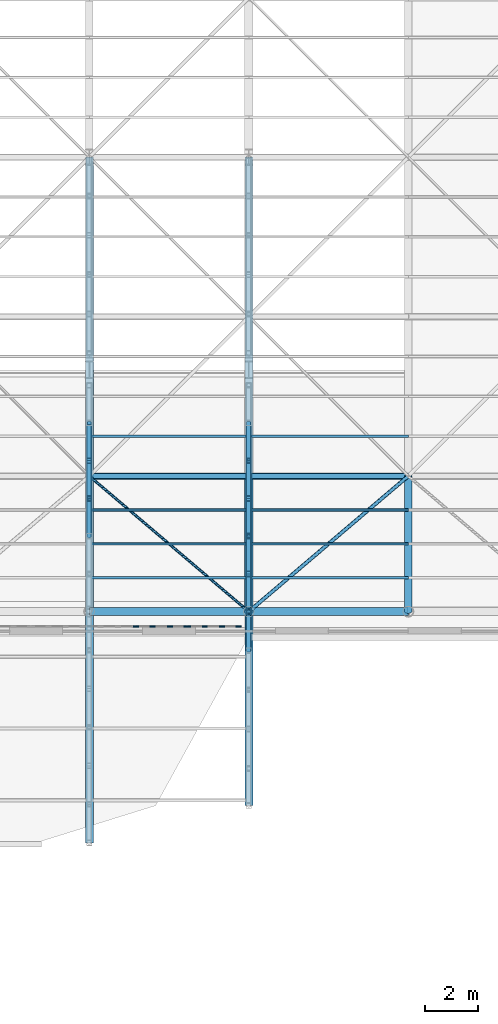
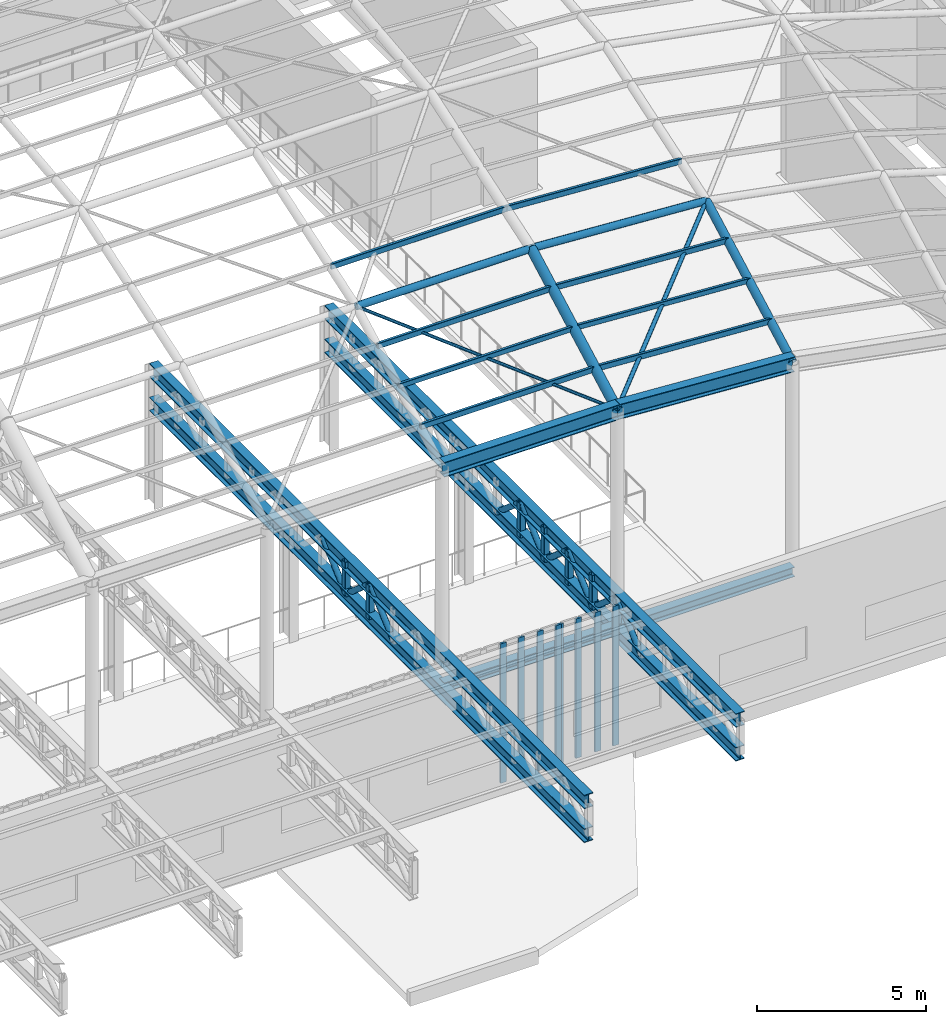
# One storey, part 27 of 75: 42 members, 4 beams, 2 elements without a shape of their own.
"""IFC4 building model written with IfcOpenShell, lengths in metres."""

from ifc_helpers import new_model, si_unit, direction, frame, origin, origin_2d, place, context, subcontext, project, spatial, rectangle, hollow_rectangle, hollow_circle, i_section, extrude, material, material_profile, profile_set, type_object, element, aggregate, save


model = new_model("IFC4")

# Units and contexts
model_context = context("Model", 3, precision=1e-05, world=origin(), true_north=direction((0.0, 1.0)))
body_context = subcontext(model_context, "Body", "Model", "MODEL_VIEW")
ifc_project = project(units=[si_unit("LENGTHUNIT", "METRE"), si_unit("AREAUNIT", "SQUARE_METRE"), si_unit("VOLUMEUNIT", "CUBIC_METRE"), si_unit("PLANEANGLEUNIT", "RADIAN"), si_unit("MASSUNIT", "GRAM", prefix="KILO")], contexts=[model_context])

# Site, building, storey
site_placement = place(None, origin())
site = spatial("IfcSite", under=ifc_project, at=site_placement, CompositionType="ELEMENT")
building_placement = place(site_placement, origin())
building = spatial("IfcBuilding", under=site, at=building_placement, Name="Kolvaren Corner Interchange", CompositionType="ELEMENT")
storey_placement = place(building_placement, frame((0.0, 0.0, 10.5)))
storey = spatial("IfcBuildingStorey", under=building, at=storey_placement, Name="L03", CompositionType="ELEMENT", Elevation=10.5)

# Beams
ifc_material_1 = material(Name="Steel S355", Category="steel")
ifc_material_profile_1 = material_profile(ifc_material_1, i_section(OverallWidth=0.300048828125, OverallDepth=0.35009765625, WebThickness=0.010009765625, FlangeThickness=0.017578125, FilletRadius=0.027099609375, at=origin_2d()), Name="HEA 360")
ifc_profile_set_1 = profile_set([ifc_material_profile_1], Name="Steel S355")
beam_type_1 = type_object("IfcBeamType", Name="BM-HEA360", PredefinedType="BEAM", material=ifc_profile_set_1)
for number, where, z_axis, x_axis, name in (
    (1, (102.0, 24.89990234375, 3.77490234375), (1.0, 0.0, 0.0), (0.0, 1.0, 0.0), "Storey L03 Grid X Primary Girder 0838"),
    (2, (108.0, 24.89990234375, 3.77490234375), (1.0, 0.0, 0.0), (0.0, 1.0, 0.0), "Storey L03 Grid X Primary Girder 0839"),
):
    element("IfcBeam", number, at=place(storey_placement, frame(where, z_axis=z_axis, x_axis=x_axis)), inside=storey, type_object=beam_type_1, Name=name, PredefinedType="BEAM", context=body_context, shape_type="SweptSolid", body=[
        extrude(i_section(OverallWidth=0.300048828125, OverallDepth=0.35009765625, WebThickness=0.010009765625, FlangeThickness=0.017578125, FilletRadius=0.027099609375, at=origin_2d()), origin(), (0.0, 0.0, 1.0), 6.0),
    ])
ifc_material_2 = material(Name="Steel S355", Category="steel")
ifc_material_profile_2 = material_profile(ifc_material_2, i_section(OverallWidth=0.300048828125, OverallDepth=0.5400390625, WebThickness=0.012451171875, FlangeThickness=0.02392578125, FilletRadius=0.027099609375, at=origin_2d()), Name="HEA 550")
ifc_profile_set_2 = profile_set([ifc_material_profile_2], Name="Steel S355")
beam_type_2 = type_object("IfcBeamType", Name="BM-HEA550", PredefinedType="BEAM", material=ifc_profile_set_2)
beam_1_placement = place(storey_placement, frame((102.0, 24.89990234375, 11.6650390625), z_axis=(1.0, 0.0, 0.0), x_axis=(0.0, 1.0, 0.0)))
element("IfcBeam", 3, at=beam_1_placement, inside=storey, type_object=beam_type_2, Name="Concourse Translational Gridshell Eaves Ring Beam 010", PredefinedType="BEAM", context=body_context, shape_type="SweptSolid", body=[
    extrude(i_section(OverallWidth=0.300048828125, OverallDepth=0.5400390625, WebThickness=0.012451171875, FlangeThickness=0.02392578125, FilletRadius=0.027099609375, at=origin_2d()), origin(), (0.0, 0.0, 1.0), 6.0),
])
beam_2_placement = place(storey_placement, frame((108.0, 24.89990234375, 11.6650390625), z_axis=(0.998052578483, 0.0, -0.062378286155), x_axis=(0.0, 1.0, 0.0)))
element("IfcBeam", 4, at=beam_2_placement, inside=storey, type_object=beam_type_2, Name="Concourse Translational Gridshell Eaves Ring Beam 011", PredefinedType="BEAM", context=body_context, shape_type="SweptSolid", body=[
    extrude(i_section(OverallWidth=0.300048828125, OverallDepth=0.5400390625, WebThickness=0.012451171875, FlangeThickness=0.02392578125, FilletRadius=0.027099609375, at=origin_2d()), origin(), (0.0, 0.0, 1.0), 6.01171875),
])

# Members
ifc_material_3 = material(Name="Steel S355", Category="steel")
ifc_material_profile_3 = material_profile(ifc_material_3, hollow_circle(Radius=0.05078125, WallThickness=0.00634765625, at=origin_2d()), Name="CHS 101.6x6.3")
ifc_profile_set_3 = profile_set([ifc_material_profile_3], Name="Steel S355")
member_type_1 = type_object("IfcMemberType", Name="MEM-BR-CHS102", PredefinedType="BRACE", material=ifc_profile_set_3)
member_1_placement = place(storey_placement, frame((102.0, 30.0, 14.4130859375), z_axis=(0.719387446525, -0.611491038326, -0.329485070723), x_axis=(0.647655619635, 0.761933198092, 0.0)))
element("IfcMember", 5, at=member_1_placement, inside=storey, type_object=member_type_1, Name="Concourse Translational Gridshell Nodal Diagonal Brace 0073", PredefinedType="BRACE", context=body_context, shape_type="SweptSolid", body=[
    extrude(hollow_circle(Radius=0.05078125, WallThickness=0.00634765625, at=origin_2d()), origin(), (0.0, 0.0, 1.0), 8.34033203125),
])
ifc_material_4 = material(Name="Steel S355", Category="steel")
ifc_material_profile_4 = material_profile(ifc_material_4, hollow_circle(Radius=0.06982421875, WallThickness=0.008056640625, at=origin_2d()), Name="CHS 139.7x8.0")
ifc_profile_set_4 = profile_set([ifc_material_profile_4], Name="Steel S355")
member_type_2 = type_object("IfcMemberType", Name="MEM-BR-CHS140", PredefinedType="BRACE", material=ifc_profile_set_4)
member_2_placement = place(storey_placement, frame((108.0, 24.89990234375, 11.6650390625), z_axis=(0.729527914915, 0.620110601504, 0.288533989786), x_axis=(-0.647655619635, 0.761933198092, 0.0)))
element("IfcMember", 6, at=member_2_placement, inside=storey, type_object=member_type_2, Name="Concourse Translational Gridshell Nodal Diagonal Brace 0081", PredefinedType="BRACE", context=body_context, shape_type="SweptSolid", body=[
    extrude(hollow_circle(Radius=0.06982421875, WallThickness=0.008056640625, at=origin_2d()), origin(), (0.0, 0.0, 1.0), 8.224609375),
])
ifc_material_5 = material(Name="Steel S355", Category="steel")
ifc_material_profile_5 = material_profile(ifc_material_5, hollow_circle(Radius=0.096923828125, WallThickness=0.010009765625, at=origin_2d()), Name="CHS 193.7x10.0")
ifc_profile_set_5 = profile_set([ifc_material_profile_5], Name="Steel S355")
member_type_3 = type_object("IfcMemberType", Name="MEM-BR-CHS194", PredefinedType="BRACE", material=ifc_profile_set_5)
member_3_placement = place(storey_placement, frame((102.0, 27.739990234375, 3.64990234375), z_axis=(0.0, 0.758427540561, 0.651757367215), x_axis=(-1.0, 0.0, 0.0)))
element("IfcMember", 7, at=member_3_placement, inside=storey, type_object=member_type_3, Name="South Portal Cantilever Roof Truss TOP Line 6 Diagonal 09", PredefinedType="BRACE", context=body_context, shape_type="SweptSolid", body=[
    extrude(hollow_circle(Radius=0.096923828125, WallThickness=0.010009765625, at=origin_2d()), origin(), (0.0, 0.0, 1.0), 1.8720703125),
])
member_4_placement = place(storey_placement, frame((102.0, 29.159912109375, 4.8701171875), z_axis=(0.0, 0.758482926199, -0.651692911319), x_axis=(-1.0, 0.0, 0.0)))
element("IfcMember", 8, at=member_4_placement, inside=storey, type_object=member_type_3, Name="South Portal Cantilever Roof Truss TOP Line 6 Diagonal 10", PredefinedType="BRACE", context=body_context, shape_type="SweptSolid", body=[
    extrude(hollow_circle(Radius=0.096923828125, WallThickness=0.010009765625, at=origin_2d()), origin(), (0.0, 0.0, 1.0), 1.872314453125),
])
member_5_placement = place(storey_placement, frame((102.0, 30.580078125, 3.64990234375), z_axis=(0.0, 0.758427540561, 0.651757367215), x_axis=(-1.0, 0.0, 0.0)))
element("IfcMember", 9, at=member_5_placement, inside=storey, type_object=member_type_3, Name="South Portal Cantilever Roof Truss TOP Line 6 Diagonal 11", PredefinedType="BRACE", context=body_context, shape_type="SweptSolid", body=[
    extrude(hollow_circle(Radius=0.096923828125, WallThickness=0.010009765625, at=origin_2d()), origin(), (0.0, 0.0, 1.0), 1.8720703125),
])
member_6_placement = place(storey_placement, frame((108.0, 23.43994140625, 3.64990234375), z_axis=(0.0, 0.76729496063, 0.641294350039), x_axis=(-1.0, 0.0, 0.0)))
element("IfcMember", 10, at=member_6_placement, inside=storey, type_object=member_type_3, Name="South Portal Cantilever Roof Truss TOP Line 7 Diagonal 05", PredefinedType="BRACE", context=body_context, shape_type="SweptSolid", body=[
    extrude(hollow_circle(Radius=0.096923828125, WallThickness=0.010009765625, at=origin_2d()), origin(), (0.0, 0.0, 1.0), 1.90283203125),
])
member_7_placement = place(storey_placement, frame((108.0, 24.89990234375, 4.8701171875), z_axis=(0.0, 0.758482926199, -0.651692911319), x_axis=(-1.0, 0.0, 0.0)))
element("IfcMember", 11, at=member_7_placement, inside=storey, type_object=member_type_3, Name="South Portal Cantilever Roof Truss TOP Line 7 Diagonal 06", PredefinedType="BRACE", context=body_context, shape_type="SweptSolid", body=[
    extrude(hollow_circle(Radius=0.096923828125, WallThickness=0.010009765625, at=origin_2d()), origin(), (0.0, 0.0, 1.0), 1.872314453125),
])
for number, where, z_axis, x_axis, name in (
    (12, (108.0, 26.320068359375, 3.64990234375), (0.0, 0.758427540561, 0.651757367215), (-1.0, 0.0, 0.0), "South Portal Cantilever Roof Truss TOP Line 7 Diagonal 07"),
    (13, (108.0, 27.739990234375, 4.8701171875), (0.0, 0.758427540561, -0.651757367215), (-1.0, 0.0, 0.0), "South Portal Cantilever Roof Truss TOP Line 7 Diagonal 08"),
):
    element("IfcMember", number, at=place(storey_placement, frame(where, z_axis=z_axis, x_axis=x_axis)), inside=storey, type_object=member_type_3, Name=name, PredefinedType="BRACE", context=body_context, shape_type="SweptSolid", body=[
        extrude(hollow_circle(Radius=0.096923828125, WallThickness=0.010009765625, at=origin_2d()), origin(), (0.0, 0.0, 1.0), 1.8720703125),
    ])
member_8_placement = place(storey_placement, frame((108.0, 29.159912109375, 3.64990234375), z_axis=(0.0, 0.758482926199, 0.651692911319), x_axis=(-1.0, 0.0, 0.0)))
element("IfcMember", 14, at=member_8_placement, inside=storey, type_object=member_type_3, Name="South Portal Cantilever Roof Truss TOP Line 7 Diagonal 09", PredefinedType="BRACE", context=body_context, shape_type="SweptSolid", body=[
    extrude(hollow_circle(Radius=0.096923828125, WallThickness=0.010009765625, at=origin_2d()), origin(), (0.0, 0.0, 1.0), 1.872314453125),
])
member_9_placement = place(storey_placement, frame((108.0, 30.580078125, 4.8701171875), z_axis=(0.0, 0.758427540561, -0.651757367215), x_axis=(-1.0, 0.0, 0.0)))
element("IfcMember", 15, at=member_9_placement, inside=storey, type_object=member_type_3, Name="South Portal Cantilever Roof Truss TOP Line 7 Diagonal 10", PredefinedType="BRACE", context=body_context, shape_type="SweptSolid", body=[
    extrude(hollow_circle(Radius=0.096923828125, WallThickness=0.010009765625, at=origin_2d()), origin(), (0.0, 0.0, 1.0), 1.8720703125),
])
ifc_material_6 = material(Name="Steel S355", Category="steel")
ifc_material_profile_6 = material_profile(ifc_material_6, hollow_circle(Radius=0.122314453125, WallThickness=0.012451171875, at=origin_2d()), Name="CHS 244.5x12.5")
ifc_profile_set_6 = profile_set([ifc_material_profile_6], Name="Steel S355")
member_type_4 = type_object("IfcMemberType", Name="MEM-CH-CHS245", PredefinedType="CHORD", material=ifc_profile_set_6)
member_10_placement = place(storey_placement, frame((102.0, 30.0, 14.4130859375), z_axis=(1.0, 0.0, 0.0), x_axis=(0.0, 1.0, 0.0)))
element("IfcMember", 16, at=member_10_placement, inside=storey, type_object=member_type_4, Name="Concourse Translational Gridshell Longitudinal Arch Chord 0114", PredefinedType="CHORD", context=body_context, shape_type="SweptSolid", body=[
    extrude(hollow_circle(Radius=0.122314453125, WallThickness=0.012451171875, at=origin_2d()), origin(), (0.0, 0.0, 1.0), 6.0),
])
member_11_placement = place(storey_placement, frame((108.0, 30.0, 14.4130859375), z_axis=(0.998052578483, 0.0, -0.062378286155), x_axis=(0.0, 1.0, 0.0)))
element("IfcMember", 17, at=member_11_placement, inside=storey, type_object=member_type_4, Name="Concourse Translational Gridshell Longitudinal Arch Chord 0115", PredefinedType="CHORD", context=body_context, shape_type="SweptSolid", body=[
    extrude(hollow_circle(Radius=0.122314453125, WallThickness=0.012451171875, at=origin_2d()), origin(), (0.0, 0.0, 1.0), 6.01171875),
])
ifc_material_7 = material(Name="Steel S355", Category="steel")
ifc_material_profile_7 = material_profile(ifc_material_7, hollow_circle(Radius=0.136474609375, WallThickness=0.012451171875, at=origin_2d()), Name="CHS 273.0x12.5")
ifc_profile_set_7 = profile_set([ifc_material_profile_7], Name="Steel S355")
member_type_5 = type_object("IfcMemberType", Name="MEM-CH-CHS273", PredefinedType="CHORD", material=ifc_profile_set_7)
member_12_placement = place(storey_placement, frame((114.0, 24.89990234375, 11.2900390625), z_axis=(0.0, 0.880338454691, 0.474346081666), x_axis=(-1.0, 0.0, 0.0)))
element("IfcMember", 18, at=member_12_placement, inside=storey, type_object=member_type_5, Name="Concourse Translational Gridshell Transverse Arch Chord 0081", PredefinedType="CHORD", context=body_context, shape_type="SweptSolid", body=[
    extrude(hollow_circle(Radius=0.136474609375, WallThickness=0.012451171875, at=origin_2d()), origin(), (0.0, 0.0, 1.0), 5.79345703125),
])
ifc_material_8 = material(Name="Steel S355", Category="steel")
ifc_material_profile_8 = material_profile(ifc_material_8, hollow_circle(Radius=0.161865234375, WallThickness=0.012451171875, at=origin_2d()), Name="CHS 323.9x12.5")
ifc_profile_set_8 = profile_set([ifc_material_profile_8], Name="Steel S355")
member_type_6 = type_object("IfcMemberType", Name="MEM-CH-CHS324", PredefinedType="CHORD", material=ifc_profile_set_8)
member_13_placement = place(storey_placement, frame((108.0, 24.89990234375, 11.6650390625), z_axis=(0.0, 0.880338454691, 0.474346081666), x_axis=(-1.0, 0.0, 0.0)))
element("IfcMember", 19, at=member_13_placement, inside=storey, type_object=member_type_6, Name="Concourse Translational Gridshell Transverse Arch Chord 0073", PredefinedType="CHORD", context=body_context, shape_type="SweptSolid", body=[
    extrude(hollow_circle(Radius=0.161865234375, WallThickness=0.012451171875, at=origin_2d()), origin(), (0.0, 0.0, 1.0), 5.79345703125),
])
ifc_material_9 = material(Name="Steel S355", Category="steel")
ifc_material_profile_9 = material_profile(ifc_material_9, i_section(OverallWidth=0.300048828125, OverallDepth=0.5, WebThickness=0.014404296875, FlangeThickness=0.028076171875, FilletRadius=0.027099609375, at=origin_2d()), Name="HEB 500")
ifc_profile_set_9 = profile_set([ifc_material_profile_9], Name="Steel S355")
member_type_7 = type_object("IfcMemberType", Name="MEM-CH-HEB500", PredefinedType="CHORD", material=ifc_profile_set_9)
for number, where, z_axis, x_axis, name in (
    (20, (102.0, 16.199951171875, 4.8701171875), (0.0, 1.0, 0.0), (-1.0, 0.0, 0.0), "South Portal Cantilever Roof Truss TOP Line 6 Top Chord"),
    (21, (102.0, 16.199951171875, 3.64990234375), (0.0, 1.0, 0.0), (-1.0, 0.0, 0.0), "South Portal Cantilever Roof Truss TOP Line 6 Bottom Chord"),
):
    element("IfcMember", number, at=place(storey_placement, frame(where, z_axis=z_axis, x_axis=x_axis)), inside=storey, type_object=member_type_7, Name=name, PredefinedType="CHORD", context=body_context, shape_type="SweptSolid", body=[
        extrude(i_section(OverallWidth=0.300048828125, OverallDepth=0.5, WebThickness=0.014404296875, FlangeThickness=0.028076171875, FilletRadius=0.027099609375, at=origin_2d()), origin(), (0.0, 0.0, 1.0), 25.800048828125),
    ])
for number, where, z_axis, x_axis, name in (
    (22, (108.0, 17.60009765625, 4.8701171875), (0.0, 1.0, 0.0), (-1.0, 0.0, 0.0), "South Portal Cantilever Roof Truss TOP Line 7 Top Chord"),
    (23, (108.0, 17.60009765625, 3.64990234375), (0.0, 1.0, 0.0), (-1.0, 0.0, 0.0), "South Portal Cantilever Roof Truss TOP Line 7 Bottom Chord"),
):
    element("IfcMember", number, at=place(storey_placement, frame(where, z_axis=z_axis, x_axis=x_axis)), inside=storey, type_object=member_type_7, Name=name, PredefinedType="CHORD", context=body_context, shape_type="SweptSolid", body=[
        extrude(i_section(OverallWidth=0.300048828125, OverallDepth=0.5, WebThickness=0.014404296875, FlangeThickness=0.028076171875, FilletRadius=0.027099609375, at=origin_2d()), origin(), (0.0, 0.0, 1.0), 24.39990234375),
    ])
ifc_material_10 = material(Name="Steel S355", Category="steel")
ifc_material_profile_10 = material_profile(ifc_material_10, hollow_rectangle(XDim=0.10009765625, YDim=0.179931640625, WallThickness=0.008056640625, InnerFilletRadius=0.008056640625, OuterFilletRadius=0.01611328125, at=origin_2d()), Name="RHS 180x100x8.0")
ifc_profile_set_10 = profile_set([ifc_material_profile_10], Name="Steel S355")
member_type_8 = type_object("IfcMemberType", Name="MEM-PR-RHS180", PredefinedType="PURLIN", material=ifc_profile_set_10)
member_14_placement = place(storey_placement, frame((102.0, 27.449951171875, 13.0869140625), z_axis=(1.0, 0.0, 0.0), x_axis=(0.0, 1.0, 0.0)))
element("IfcMember", 24, at=member_14_placement, inside=storey, type_object=member_type_8, Name="Concourse Translational Gridshell Glazing Purlin 0073 Row 2", PredefinedType="PURLIN", context=body_context, shape_type="SweptSolid", body=[
    extrude(hollow_rectangle(XDim=0.10009765625, YDim=0.179931640625, WallThickness=0.008056640625, InnerFilletRadius=0.008056640625, OuterFilletRadius=0.01611328125, at=origin_2d()), origin(), (0.0, 0.0, 1.0), 6.0),
])
member_15_placement = place(storey_placement, frame((108.0, 27.449951171875, 13.0869140625), z_axis=(0.998052578483, 0.0, -0.062378286155), x_axis=(0.0, 1.0, 0.0)))
element("IfcMember", 25, at=member_15_placement, inside=storey, type_object=member_type_8, Name="Concourse Translational Gridshell Glazing Purlin 0081 Row 2", PredefinedType="PURLIN", context=body_context, shape_type="SweptSolid", body=[
    extrude(hollow_rectangle(XDim=0.10009765625, YDim=0.179931640625, WallThickness=0.008056640625, InnerFilletRadius=0.008056640625, OuterFilletRadius=0.01611328125, at=origin_2d()), origin(), (0.0, 0.0, 1.0), 6.01171875),
])
ifc_material_11 = material(Name="Steel S355", Category="steel")
ifc_material_profile_11 = material_profile(ifc_material_11, hollow_rectangle(XDim=0.10009765625, YDim=0.199951171875, WallThickness=0.008056640625, InnerFilletRadius=0.008056640625, OuterFilletRadius=0.01611328125, at=origin_2d()), Name="RHS 200x100x8.0")
ifc_profile_set_11 = profile_set([ifc_material_profile_11], Name="Steel S355")
member_type_9 = type_object("IfcMemberType", Name="MEM-PR-RHS200", PredefinedType="PURLIN", material=ifc_profile_set_11)
for number, where, z_axis, x_axis, name in (
    (26, (102.0, 26.175048828125, 12.389892578125), (1.0, 0.0, 0.0), (0.0, 1.0, 0.0), "Concourse Translational Gridshell Glazing Purlin 0073 Row 1"),
    (27, (102.0, 28.72509765625, 13.763916015625), (1.0, 0.0, 0.0), (0.0, 1.0, 0.0), "Concourse Translational Gridshell Glazing Purlin 0073 Row 3"),
    (28, (102.0, 31.5, 14.950927734375), (1.0, 0.0, 0.0), (0.0, 1.0, 0.0), "Concourse Translational Gridshell Glazing Purlin 0074 Row 1"),
):
    element("IfcMember", number, at=place(storey_placement, frame(where, z_axis=z_axis, x_axis=x_axis)), inside=storey, type_object=member_type_9, Name=name, PredefinedType="PURLIN", context=body_context, shape_type="SweptSolid", body=[
        extrude(hollow_rectangle(XDim=0.10009765625, YDim=0.199951171875, WallThickness=0.008056640625, InnerFilletRadius=0.008056640625, OuterFilletRadius=0.01611328125, at=origin_2d()), origin(), (0.0, 0.0, 1.0), 6.0),
    ])
for number, where, z_axis, x_axis, name in (
    (29, (108.0, 26.175048828125, 12.389892578125), (0.998052578483, 0.0, -0.062378286155), (0.0, 1.0, 0.0), "Concourse Translational Gridshell Glazing Purlin 0081 Row 1"),
    (30, (108.0, 28.72509765625, 13.763916015625), (0.998052578483, 0.0, -0.062378286155), (0.0, 1.0, 0.0), "Concourse Translational Gridshell Glazing Purlin 0081 Row 3"),
    (31, (108.0, 31.5, 14.950927734375), (0.998052578483, 0.0, -0.062378286155), (0.0, 1.0, 0.0), "Concourse Translational Gridshell Glazing Purlin 0082 Row 1"),
):
    element("IfcMember", number, at=place(storey_placement, frame(where, z_axis=z_axis, x_axis=x_axis)), inside=storey, type_object=member_type_9, Name=name, PredefinedType="PURLIN", context=body_context, shape_type="SweptSolid", body=[
        extrude(hollow_rectangle(XDim=0.10009765625, YDim=0.199951171875, WallThickness=0.008056640625, InnerFilletRadius=0.008056640625, OuterFilletRadius=0.01611328125, at=origin_2d()), origin(), (0.0, 0.0, 1.0), 6.01171875),
    ])
ifc_material_12 = material(Name="Steel S355", Category="steel")
ifc_material_profile_12 = material_profile(ifc_material_12, hollow_rectangle(XDim=0.199951171875, YDim=0.199951171875, WallThickness=0.010009765625, InnerFilletRadius=0.010009765625, OuterFilletRadius=0.02001953125, at=origin_2d()), Name="SHS 200x200x10.0")
ifc_profile_set_12 = profile_set([ifc_material_profile_12], Name="Steel S355")
member_type_10 = type_object("IfcMemberType", Name="MEM-PT-SHS200", PredefinedType="POST", material=ifc_profile_set_12)
for number, where, z_axis, x_axis, name in (
    (32, (102.0, 29.159912109375, 3.64990234375), (0.0, 0.0, 1.0), (1.0, 0.0, 0.0), "South Portal Cantilever Roof Truss TOP Line 6 Web Post 10"),
    (33, (102.0, 30.580078125, 3.64990234375), (0.0, 0.0, 1.0), (1.0, 0.0, 0.0), "South Portal Cantilever Roof Truss TOP Line 6 Web Post 11"),
    (34, (108.0, 24.89990234375, 3.64990234375), (0.0, 0.0, 1.0), (1.0, 0.0, 0.0), "South Portal Cantilever Roof Truss TOP Line 7 Web Post 06"),
    (35, (108.0, 26.320068359375, 3.64990234375), (0.0, 0.0, 1.0), (1.0, 0.0, 0.0), "South Portal Cantilever Roof Truss TOP Line 7 Web Post 07"),
    (36, (108.0, 27.739990234375, 3.64990234375), (0.0, 0.0, 1.0), (1.0, 0.0, 0.0), "South Portal Cantilever Roof Truss TOP Line 7 Web Post 08"),
    (37, (108.0, 29.159912109375, 3.64990234375), (0.0, 0.0, 1.0), (1.0, 0.0, 0.0), "South Portal Cantilever Roof Truss TOP Line 7 Web Post 09"),
    (38, (108.0, 30.580078125, 3.64990234375), (0.0, 0.0, 1.0), (1.0, 0.0, 0.0), "South Portal Cantilever Roof Truss TOP Line 7 Web Post 10"),
):
    element("IfcMember", number, at=place(storey_placement, frame(where, z_axis=z_axis, x_axis=x_axis)), inside=storey, type_object=member_type_10, Name=name, PredefinedType="POST", context=body_context, shape_type="SweptSolid", body=[
        extrude(hollow_rectangle(XDim=0.199951171875, YDim=0.199951171875, WallThickness=0.010009765625, InnerFilletRadius=0.010009765625, OuterFilletRadius=0.02001953125, at=origin_2d()), origin(), (0.0, 0.0, 1.0), 1.22021484375),
    ])

# Curtain wall, members
ifc_material_13 = material(Name="Unitised Aluminium and Solar-Control Glass Curtain Wall", Category="aluminium")
curtain_wall_type = type_object("IfcCurtainWallType", Name="CW-V1-UPPER", PredefinedType="NOTDEFINED", material=ifc_material_13)
curtain_wall_1_placement = place(storey_placement, origin())
curtain_wall_1 = element("IfcCurtainWall", 39, at=curtain_wall_1_placement, inside=storey, type_object=curtain_wall_type, Name="South Portal Upper Curtain Wall Bay 17", PredefinedType="NOTDEFINED")
ifc_material_14 = material(Name="Anodised Aluminium Framing", Category="aluminium")
ifc_material_profile_13 = material_profile(ifc_material_14, rectangle(XDim=0.070068359375, YDim=0.199951171875, at=origin_2d()), Name="ALU 70x200")
ifc_profile_set_13 = profile_set([ifc_material_profile_13], Name="Anodised Aluminium Framing")
member_type_11 = type_object("IfcMemberType", Name="MUL-ALU70x200", PredefinedType="MULLION", material=ifc_profile_set_13)
member_16_placement = place(storey_placement, frame((103.7626953125, 24.340087890625, 0.0), z_axis=(0.0, 0.0, 1.0), x_axis=(0.0, 1.0, 0.0)))
member_16 = element("IfcMember", 40, at=member_16_placement, type_object=member_type_11, Name="CW-053 mullion 1", PredefinedType="MULLION", context=body_context, shape_type="SweptSolid", body=[
    extrude(rectangle(XDim=0.070068359375, YDim=0.199951171875, at=origin_2d()), origin(), (0.0, 0.0, 1.0), 5.050048828125),
])
member_17_placement = place(storey_placement, frame((104.381591796875, 24.340087890625, 0.0), z_axis=(0.0, 0.0, 1.0), x_axis=(0.0, 1.0, 0.0)))
member_17 = element("IfcMember", 41, at=member_17_placement, type_object=member_type_11, Name="CW-053 mullion 2", PredefinedType="MULLION", context=body_context, shape_type="SweptSolid", body=[
    extrude(rectangle(XDim=0.070068359375, YDim=0.199951171875, at=origin_2d()), origin(), (0.0, 0.0, 1.0), 5.050048828125),
])
member_18_placement = place(storey_placement, frame((105.03515625, 24.340087890625, 0.0), z_axis=(0.0, 0.0, 1.0), x_axis=(0.0, 1.0, 0.0)))
member_18 = element("IfcMember", 42, at=member_18_placement, type_object=member_type_11, Name="CW-053 mullion 3", PredefinedType="MULLION", context=body_context, shape_type="SweptSolid", body=[
    extrude(rectangle(XDim=0.070068359375, YDim=0.199951171875, at=origin_2d()), origin(), (0.0, 0.0, 1.0), 5.050048828125),
])
member_19_placement = place(storey_placement, frame((105.65380859375, 24.340087890625, 0.0), z_axis=(0.0, 0.0, 1.0), x_axis=(0.0, 1.0, 0.0)))
member_19 = element("IfcMember", 43, at=member_19_placement, type_object=member_type_11, Name="CW-053 mullion 4", PredefinedType="MULLION", context=body_context, shape_type="SweptSolid", body=[
    extrude(rectangle(XDim=0.070068359375, YDim=0.199951171875, at=origin_2d()), origin(), (0.0, 0.0, 1.0), 5.050048828125),
])
aggregate(curtain_wall_1, [member_16, member_17, member_18, member_19])

curtain_wall_2_placement = place(storey_placement, origin())
curtain_wall_2 = element("IfcCurtainWall", 44, at=curtain_wall_2_placement, inside=storey, type_object=curtain_wall_type, Name="South Portal Upper Curtain Wall Bay 18", PredefinedType="NOTDEFINED")
member_20_placement = place(storey_placement, frame((105.723876953125, 24.340087890625, 0.0), z_axis=(0.0, 0.0, 1.0), x_axis=(0.0, 1.0, 0.0)))
member_20 = element("IfcMember", 45, at=member_20_placement, type_object=member_type_11, Name="CW-054 mullion 1", PredefinedType="MULLION", context=body_context, shape_type="SweptSolid", body=[
    extrude(rectangle(XDim=0.070068359375, YDim=0.199951171875, at=origin_2d()), origin(), (0.0, 0.0, 1.0), 5.050048828125),
])
member_21_placement = place(storey_placement, frame((106.342529296875, 24.340087890625, 0.0), z_axis=(0.0, 0.0, 1.0), x_axis=(0.0, 1.0, 0.0)))
member_21 = element("IfcMember", 46, at=member_21_placement, type_object=member_type_11, Name="CW-054 mullion 2", PredefinedType="MULLION", context=body_context, shape_type="SweptSolid", body=[
    extrude(rectangle(XDim=0.070068359375, YDim=0.199951171875, at=origin_2d()), origin(), (0.0, 0.0, 1.0), 5.050048828125),
])
member_22_placement = place(storey_placement, frame((106.996337890625, 24.340087890625, 0.0), z_axis=(0.0, 0.0, 1.0), x_axis=(0.0, 1.0, 0.0)))
member_22 = element("IfcMember", 47, at=member_22_placement, type_object=member_type_11, Name="CW-054 mullion 3", PredefinedType="MULLION", context=body_context, shape_type="SweptSolid", body=[
    extrude(rectangle(XDim=0.070068359375, YDim=0.199951171875, at=origin_2d()), origin(), (0.0, 0.0, 1.0), 5.050048828125),
])
member_23_placement = place(storey_placement, frame((107.614990234375, 24.340087890625, 0.0), z_axis=(0.0, 0.0, 1.0), x_axis=(0.0, 1.0, 0.0)))
member_23 = element("IfcMember", 48, at=member_23_placement, type_object=member_type_11, Name="CW-054 mullion 4", PredefinedType="MULLION", context=body_context, shape_type="SweptSolid", body=[
    extrude(rectangle(XDim=0.070068359375, YDim=0.199951171875, at=origin_2d()), origin(), (0.0, 0.0, 1.0), 5.050048828125),
])
aggregate(curtain_wall_2, [member_20, member_21, member_22, member_23])

save(model, "model.ifc")
